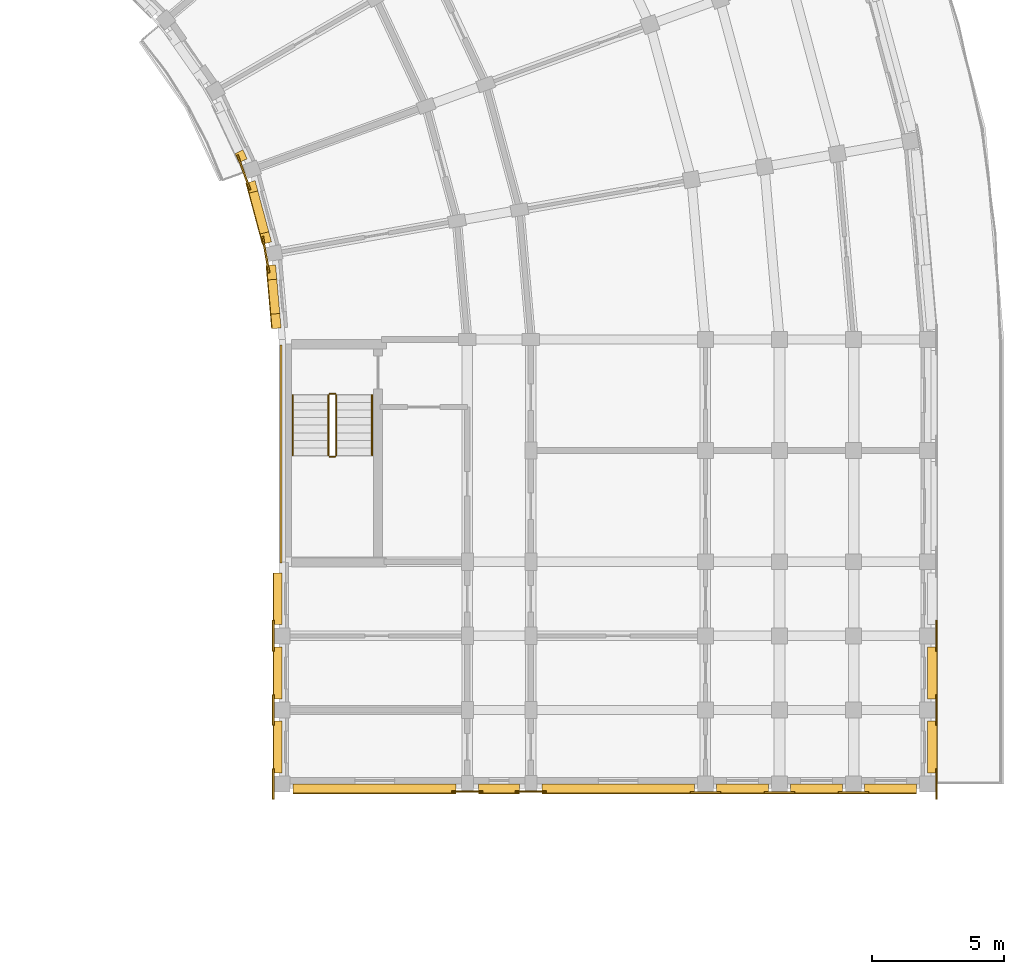
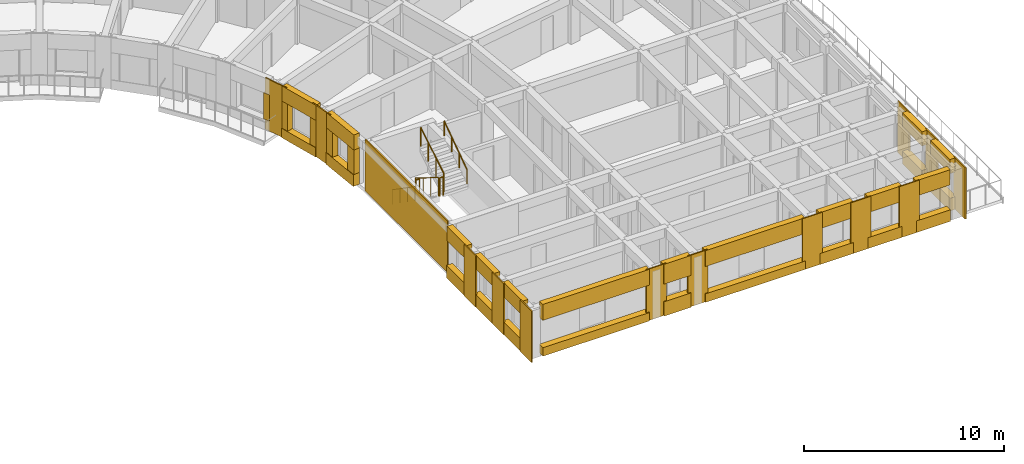
# One storey, part 50 of 53: 45 coverings, 6 railings.
"""IFC4 building model written with IfcOpenShell, lengths in metres."""

import ifcopenshell
import ifcopenshell.guid

model = None  # the IFC model being written
_history = None  # IfcOwnerHistory: only IFC2X3 demands one
_inside = {}  # id of a spatial element -> (the spatial element, [elements in it])
_under = {}  # id of a project, library or spatial element -> (it, [spatial elements below it])
_declared = {}  # id of a project -> (the project, [libraries it declares])
_typed = {}  # id of a type object -> (the type object, [elements of that type])
_made_of = {}  # id of a material, layer set ... -> (it, [elements and type objects made of it])


def new_model(schema):
    """Start an empty IFC model of exactly this schema.

    Asked for "IFC4X3", IfcOpenShell would pick the latest addendum, in which some entities
    have other attributes; the version numbers below select the first issue.
    IFC2X3 requires an IfcOwnerHistory on every rooted entity: one is made here for all.
    """
    global model, _history
    if schema == "IFC4X3":
        model = ifcopenshell.file(schema_version=(4, 3, 0, 0))
    else:
        model = ifcopenshell.file(schema=schema)
    _inside.clear()
    _under.clear()
    _declared.clear()
    _typed.clear()
    _made_of.clear()
    _history = None
    if model.schema == "IFC2X3":
        org = make("IfcOrganization", Name="unknown")
        user = make(
            "IfcPersonAndOrganization",
            ThePerson=make("IfcPerson", FamilyName="unknown"),
            TheOrganization=org,
        )
        app = make(
            "IfcApplication",
            ApplicationDeveloper=org,
            Version="unknown",
            ApplicationFullName="unknown",
            ApplicationIdentifier="unknown",
        )
        _history = make(
            "IfcOwnerHistory",
            OwningUser=user,
            OwningApplication=app,
            ChangeAction="ADDED",
            CreationDate=0,
        )
    return model


def make(cls, **values):
    """One entity of the class cls with the attributes given. An attribute that is None is left unset."""
    return model.create_entity(
        cls, **{name: value for name, value in values.items() if value is not None}
    )


def rooted(cls, **values):
    """An entity with a GlobalId (a new one), such as an element, a storey or a relation."""
    return make(cls, GlobalId=ifcopenshell.guid.new(), OwnerHistory=_history, **values)


def si_unit(unit_type, name, prefix=None):
    """IfcSIUnit, for example si_unit("LENGTHUNIT", "METRE", prefix="MILLI")."""
    return make("IfcSIUnit", UnitType=unit_type, Prefix=prefix, Name=name)


def assignment(units):
    """IfcUnitAssignment: the units of a project."""
    return None if units is None else make("IfcUnitAssignment", Units=units)


def point(xyz):
    """IfcCartesianPoint."""
    return None if xyz is None else make("IfcCartesianPoint", Coordinates=xyz)


def direction(xyz):
    """IfcDirection."""
    return None if xyz is None else make("IfcDirection", DirectionRatios=xyz)


def frame(location, z_axis=None, x_axis=None):
    """IfcAxis2Placement3D, a coordinate frame: its origin and axes. An axis left out is left unset."""
    return make(
        "IfcAxis2Placement3D",
        Location=point(location),
        Axis=direction(z_axis),
        RefDirection=direction(x_axis),
    )


def frame_2d(location, x_axis=None):
    """IfcAxis2Placement2D, a coordinate frame in the plane: its origin and x axis."""
    return make(
        "IfcAxis2Placement2D", Location=point(location), RefDirection=direction(x_axis)
    )


def origin():
    """The frame at (0, 0, 0) with its axes left unset."""
    return frame((0.0, 0.0, 0.0))


def origin_2d():
    """The frame at (0, 0) in the plane with its x axis left unset."""
    return frame_2d((0.0, 0.0))


def place(relative_to, where):
    """IfcLocalPlacement: puts the frame where relative to a parent placement (None: the world)."""
    return make(
        "IfcLocalPlacement", PlacementRelTo=relative_to, RelativePlacement=where
    )


def context(
    kind, dimensions, precision=None, world=None, true_north=None, identifier=None
):
    """IfcGeometricRepresentationContext, for example the 3D "Model" context."""
    return make(
        "IfcGeometricRepresentationContext",
        ContextIdentifier=identifier,
        ContextType=kind,
        CoordinateSpaceDimension=dimensions,
        Precision=precision,
        WorldCoordinateSystem=world,
        TrueNorth=true_north,
    )


def subcontext(parent, identifier, kind, view, scale=None):
    """IfcGeometricRepresentationSubContext, for example "Body" below "Model"."""
    return make(
        "IfcGeometricRepresentationSubContext",
        ContextIdentifier=identifier,
        ContextType=kind,
        ParentContext=parent,
        TargetScale=scale,
        TargetView=view,
    )


def project(units=None, contexts=None):
    """IfcProject with its units and contexts."""
    return rooted(
        "IfcProject",
        Name="project",
        RepresentationContexts=contexts,
        UnitsInContext=assignment(units),
    )


def spatial(cls, under=None, at=None, **own):
    """A site, building, storey or space (cls), placed at a placement, below another one or the project."""
    s = rooted(cls, ObjectPlacement=at, **own)
    if under is not None:
        _under.setdefault(under.id(), (under, []))[1].append(s)
    return s


def polyline(points):
    """IfcPolyline through the points."""
    return make("IfcPolyline", Points=[point(p) for p in points])


def profile(cls, at=None, kind="AREA", **sizes):
    """A parametric profile (cls). Its sizes go by their IFC names, for example OverallWidth=200.0."""
    return make(cls, ProfileType=kind, Position=at, **sizes)


def circle(**sizes):
    """IfcCircleProfileDef."""
    return profile("IfcCircleProfileDef", **sizes)


def outline(outer, holes=None, kind="AREA"):
    """IfcArbitraryClosedProfileDef: a profile drawn as a closed curve; with holes, ...WithVoids."""
    if holes is None:
        return make("IfcArbitraryClosedProfileDef", ProfileType=kind, OuterCurve=outer)
    return make(
        "IfcArbitraryProfileDefWithVoids",
        ProfileType=kind,
        OuterCurve=outer,
        InnerCurves=holes,
    )


def extrude(swept, where, along, depth):
    """IfcExtrudedAreaSolid: the profile swept, set in the frame where, extruded along a direction by depth."""
    return make(
        "IfcExtrudedAreaSolid",
        SweptArea=swept,
        Position=where,
        ExtrudedDirection=direction(along),
        Depth=depth,
    )


def shape(context_of_items, identifier, shape_type, items):
    """IfcShapeRepresentation: the items that make up one representation, for example the "Body"."""
    return make(
        "IfcShapeRepresentation",
        ContextOfItems=context_of_items,
        RepresentationIdentifier=identifier,
        RepresentationType=shape_type,
        Items=items,
    )


def material(Name=None, Category=None):
    """IfcMaterial."""
    return make("IfcMaterial", Name=Name, Category=Category)


def layer(
    of_material, thickness, ventilated=None, Name=None, Category=None, Priority=None
):
    """IfcMaterialLayer: one layer of a wall or slab, of a material (None: an air gap)."""
    return make(
        "IfcMaterialLayer",
        Material=of_material,
        LayerThickness=thickness,
        IsVentilated=ventilated,
        Name=Name,
        Category=Category,
        Priority=Priority,
    )


def layer_set(layers, Name=None):
    """IfcMaterialLayerSet."""
    return make("IfcMaterialLayerSet", MaterialLayers=layers, LayerSetName=Name)


def made_of(thing, what):
    """Note that an element or type object is made of a material, layer set ...; save() writes the relation."""
    if what is not None:
        _made_of.setdefault(what.id(), (what, []))[1].append(thing)
    return thing


def type_object(cls, material=None, **own):
    """A type object (cls), such as IfcWallType, which elements share."""
    return made_of(rooted(cls, **own), material)


def element(
    cls,
    number,
    at=None,
    inside=None,
    cuts=None,
    type_object=None,
    material=None,
    context=None,
    identifier="Body",
    shape_type=None,
    held_by="IfcProductDefinitionShape",
    body=None,
    shapes=None,
    **own,
):
    """One element of the class cls, such as IfcWall. Its Tag is "e" and its number.

    at: its placement. inside: the storey or other place that contains it. cuts: it is an
    opening in that element (IfcRelVoidsElement). A single representation is given by context,
    identifier, shape_type and body (its items); several are given by shapes. held_by: the class
    of the entity that holds the representations. save() writes the other relations.
    """
    e = rooted(cls, Tag="e%d" % number, ObjectPlacement=at, **own)
    if body is not None:
        shapes = [shape(context, identifier, shape_type, body)]
    if shapes is not None:
        e.Representation = make(held_by, Representations=shapes)
    if inside is not None:
        _inside.setdefault(inside.id(), (inside, []))[1].append(e)
    if cuts is not None:
        rooted(
            "IfcRelVoidsElement", RelatingBuildingElement=cuts, RelatedOpeningElement=e
        )
    if type_object is not None:
        _typed.setdefault(type_object.id(), (type_object, []))[1].append(e)
    return made_of(e, material)


def aggregate(whole, parts):
    """IfcRelAggregates: a whole, such as a stair, and the parts it consists of."""
    return rooted("IfcRelAggregates", RelatingObject=whole, RelatedObjects=parts)


def save(model, path):
    """Write the relations noted so far, then the file.

    IfcRelAggregates (storeys below a building ...), IfcRelContainedInSpatialStructure (elements
    in a storey), IfcRelDefinesByType, IfcRelAssociatesMaterial and IfcRelDeclares: one each for
    every whole, place, type object, material and project.
    """
    for whole, parts in _under.values():
        aggregate(whole, parts)
    for where, things in _inside.values():
        rooted(
            "IfcRelContainedInSpatialStructure",
            RelatedElements=things,
            RelatingStructure=where,
        )
    for kind, things in _typed.values():
        rooted("IfcRelDefinesByType", RelatedObjects=things, RelatingType=kind)
    for what, things in _made_of.values():
        rooted("IfcRelAssociatesMaterial", RelatedObjects=things, RelatingMaterial=what)
    for by, libraries in _declared.values():
        rooted("IfcRelDeclares", RelatingContext=by, RelatedDefinitions=libraries)
    model.write(path)


model = new_model("IFC4")

# Units and contexts
model_context = context("Model", 3, precision=1e-05, world=origin(), true_north=direction((0.0, 1.0)))
body_context = subcontext(model_context, "Body", "Model", "MODEL_VIEW")
ifc_project = project(units=[si_unit("LENGTHUNIT", "METRE"), si_unit("AREAUNIT", "SQUARE_METRE"), si_unit("VOLUMEUNIT", "CUBIC_METRE"), si_unit("PLANEANGLEUNIT", "RADIAN"), si_unit("MASSUNIT", "GRAM", prefix="KILO")], contexts=[model_context])

# Site, building, storey
site_placement = place(None, origin())
site = spatial("IfcSite", under=ifc_project, at=site_placement, CompositionType="ELEMENT")
building_placement = place(site_placement, origin())
building = spatial("IfcBuilding", under=site, at=building_placement, Name="Kiranvali Square Residences", CompositionType="ELEMENT")
storey_placement = place(building_placement, frame((0.0, 0.0, 30.75)))
storey = spatial("IfcBuildingStorey", under=building, at=storey_placement, Name="L09", CompositionType="ELEMENT", Elevation=30.75)

# Coverings
ifc_material_1 = material(Name="Honed Porbandar limestone ashlar facade cladding", Category="masonry")
ifc_layer_1 = layer(ifc_material_1, 0.3798828125)
ifc_layer_set_1 = layer_set([ifc_layer_1], Name="Honed Porbandar limestone ashlar facade cladding")
covering_type_1 = type_object("IfcCoveringType", Name="COV-CLAD-JAMB", PredefinedType="CLADDING", material=ifc_layer_set_1)
covering_1_placement = place(storey_placement, frame((0.0, 0.0, 0.6220703125)))
element("IfcCovering", 1, at=covering_1_placement, inside=storey, type_object=covering_type_1, Name="L09 deep limestone window jamb reveal B-L09-GDN-06.R", PredefinedType="CLADDING", context=body_context, shape_type="SweptSolid", body=[
    extrude(outline(polyline([(136.814208984375, 94.823486328125), (136.97216796875, 94.485107421875), (137.27978515625, 94.62841796875), (137.1220703125, 94.967041015625), (136.814208984375, 94.823486328125)])), origin(), (0.0, 0.0, 1.0), 1.599853515625),
])
covering_2_placement = place(storey_placement, frame((0.0, 0.0, 0.572021484375)))
element("IfcCovering", 2, at=covering_2_placement, inside=storey, type_object=covering_type_1, Name="L09 deep limestone window jamb reveal B-L09-GDN-07.L", PredefinedType="CLADDING", context=body_context, shape_type="SweptSolid", body=[
    extrude(outline(polyline([(137.251708984375, 93.717041015625), (137.354736328125, 93.33203125), (137.682861328125, 93.419921875), (137.57958984375, 93.804931640625), (137.251708984375, 93.717041015625)])), origin(), (0.0, 0.0, 1.0), 1.64990234375),
])
covering_3_placement = place(storey_placement, frame((0.0, 0.0, 0.572021484375)))
element("IfcCovering", 3, at=covering_3_placement, inside=storey, type_object=covering_type_1, Name="L09 deep limestone window jamb reveal B-L09-GDN-07.R", PredefinedType="CLADDING", context=body_context, shape_type="SweptSolid", body=[
    extrude(outline(polyline([(137.76904296875, 91.78662109375), (137.8720703125, 91.401611328125), (138.199951171875, 91.489501953125), (138.096923828125, 91.87451171875), (137.76904296875, 91.78662109375)])), origin(), (0.0, 0.0, 1.0), 1.64990234375),
])
covering_4_placement = place(storey_placement, frame((0.0, 0.0, 0.721923828125)))
element("IfcCovering", 4, at=covering_4_placement, inside=storey, type_object=covering_type_1, Name="L09 deep limestone window jamb reveal B-L09-GDN-08.L", PredefinedType="CLADDING", context=body_context, shape_type="SweptSolid", body=[
    extrude(outline(polyline([(138.013916015625, 90.5966796875), (138.061767578125, 90.05029296875), (138.400146484375, 90.079833984375), (138.352294921875, 90.626220703125), (138.013916015625, 90.5966796875)])), origin(), (0.0, 0.0, 1.0), 1.5),
])
covering_5_placement = place(storey_placement, frame((0.0, 0.0, 0.721923828125)))
element("IfcCovering", 5, at=covering_5_placement, inside=storey, type_object=covering_type_1, Name="L09 deep limestone window jamb reveal B-L09-GDN-08.R", PredefinedType="CLADDING", context=body_context, shape_type="SweptSolid", body=[
    extrude(outline(polyline([(138.175048828125, 88.755126953125), (138.222900390625, 88.208740234375), (138.56103515625, 88.23828125), (138.513427734375, 88.78466796875), (138.175048828125, 88.755126953125)])), origin(), (0.0, 0.0, 1.0), 1.5),
])
ifc_layer_2 = layer(ifc_material_1, 0.06494140625)
ifc_layer_set_2 = layer_set([ifc_layer_2], Name="Honed Porbandar limestone ashlar facade cladding")
covering_type_2 = type_object("IfcCoveringType", Name="COV-CLAD-PIER", PredefinedType="CLADDING", material=ifc_layer_set_2)
covering_6_placement = place(storey_placement, frame((0.0, 0.0, 0.0048828125)))
element("IfcCovering", 6, at=covering_6_placement, inside=storey, type_object=covering_type_2, Name="Block B L09 Arm 2 stair limestone ashlar cladding", PredefinedType="CLADDING", context=body_context, shape_type="SweptSolid", body=[
    extrude(outline(polyline([(138.52001953125, 87.60009765625), (138.52001953125, 79.35009765625), (138.597900390625, 79.35009765625), (138.597900390625, 87.60009765625), (138.52001953125, 87.60009765625)])), origin(), (0.0, 0.0, 1.0), 3.14013671875),
])
ifc_layer_3 = layer(ifc_material_1, 0.050048828125)
ifc_layer_set_3 = layer_set([ifc_layer_3], Name="Honed Porbandar limestone ashlar facade cladding")
covering_type_3 = type_object("IfcCoveringType", Name="COV-CLAD-PIER-IN", PredefinedType="CLADDING", material=ifc_layer_set_3)
covering_7_placement = place(storey_placement, frame((0.0, 0.0, 0.0048828125)))
element("IfcCovering", 7, at=covering_7_placement, inside=storey, type_object=covering_type_3, Name="L09 Classical garden courtyard pilaster CLAD-PRIN-B-L09-A07", PredefinedType="CLADDING", context=body_context, shape_type="SweptSolid", body=[
    extrude(outline(polyline([(136.881103515625, 94.761962890625), (137.35986328125, 93.4462890625), (137.42333984375, 93.469482421875), (136.9443359375, 94.784912109375), (136.881103515625, 94.761962890625)])), origin(), (0.0, 0.0, 1.0), 3.14013671875),
])
covering_8_placement = place(storey_placement, frame((0.0, 0.0, 0.0048828125)))
element("IfcCovering", 8, at=covering_8_placement, inside=storey, type_object=covering_type_3, Name="L09 Classical garden courtyard pilaster CLAD-PRIN-B-L09-A08", PredefinedType="CLADDING", context=body_context, shape_type="SweptSolid", body=[
    extrude(outline(polyline([(137.830322265625, 91.68994140625), (138.073486328125, 90.311279296875), (138.139892578125, 90.322998046875), (137.89697265625, 91.70166015625), (137.830322265625, 91.68994140625)])), origin(), (0.0, 0.0, 1.0), 3.14013671875),
])
covering_9_placement = place(storey_placement, frame((0.0, 0.0, 0.0048828125)))
element("IfcCovering", 9, at=covering_9_placement, inside=storey, type_object=covering_type_3, Name="L09 Classical limestone pilaster casing CLAD-PRA2I-B-L09-V112", PredefinedType="CLADDING", context=body_context, shape_type="SweptSolid", body=[
    extrude(outline(polyline([(138.23193359375, 77.179931640625), (138.23193359375, 76.02001953125), (138.299560546875, 76.02001953125), (138.299560546875, 77.179931640625), (138.23193359375, 77.179931640625)])), origin(), (0.0, 0.0, 1.0), 3.14013671875),
])
covering_10_placement = place(storey_placement, frame((0.0, 0.0, 0.0048828125)))
element("IfcCovering", 10, at=covering_10_placement, inside=storey, type_object=covering_type_3, Name="L09 Classical limestone pilaster casing CLAD-PRA2I-B-L09-V140", PredefinedType="CLADDING", context=body_context, shape_type="SweptSolid", body=[
    extrude(outline(polyline([(138.23193359375, 74.3798828125), (138.23193359375, 73.219970703125), (138.299560546875, 73.219970703125), (138.299560546875, 74.3798828125), (138.23193359375, 74.3798828125)])), origin(), (0.0, 0.0, 1.0), 3.14013671875),
])
covering_11_placement = place(storey_placement, frame((0.0, 0.0, 0.0048828125)))
element("IfcCovering", 11, at=covering_11_placement, inside=storey, type_object=covering_type_3, Name="L09 Classical limestone pilaster casing CLAD-PRA2I-B-L09-V167", PredefinedType="CLADDING", context=body_context, shape_type="SweptSolid", body=[
    extrude(outline(polyline([(138.23193359375, 71.580078125), (138.23193359375, 70.419921875), (138.299560546875, 70.419921875), (138.299560546875, 71.580078125), (138.23193359375, 71.580078125)])), origin(), (0.0, 0.0, 1.0), 3.14013671875),
])
ifc_layer_4 = layer(ifc_material_1, 0.054931640625)
ifc_layer_set_4 = layer_set([ifc_layer_4], Name="Honed Porbandar limestone ashlar facade cladding")
covering_type_4 = type_object("IfcCoveringType", Name="COV-CLAD-PIER-UP", PredefinedType="CLADDING", material=ifc_layer_set_4)
covering_12_placement = place(storey_placement, frame((0.0, 0.0, 0.0048828125)))
element("IfcCovering", 12, at=covering_12_placement, inside=storey, type_object=covering_type_4, Name="L09 Classical limestone pilaster casing CLAD-PR-B-L09-V112", PredefinedType="CLADDING", context=body_context, shape_type="SweptSolid", body=[
    extrude(outline(polyline([(163.300537109375, 77.179931640625), (163.300537109375, 76.02001953125), (163.367919921875, 76.02001953125), (163.367919921875, 77.179931640625), (163.300537109375, 77.179931640625)])), origin(), (0.0, 0.0, 1.0), 3.14013671875),
])
covering_13_placement = place(storey_placement, frame((0.0, 0.0, 0.0048828125)))
element("IfcCovering", 13, at=covering_13_placement, inside=storey, type_object=covering_type_4, Name="L09 Classical limestone pilaster casing CLAD-PR-B-L09-V140", PredefinedType="CLADDING", context=body_context, shape_type="SweptSolid", body=[
    extrude(outline(polyline([(163.300537109375, 74.3798828125), (163.300537109375, 73.219970703125), (163.367919921875, 73.219970703125), (163.367919921875, 74.3798828125), (163.300537109375, 74.3798828125)])), origin(), (0.0, 0.0, 1.0), 3.14013671875),
])
covering_14_placement = place(storey_placement, frame((0.0, 0.0, 0.0048828125)))
element("IfcCovering", 14, at=covering_14_placement, inside=storey, type_object=covering_type_4, Name="L09 Classical limestone pilaster casing CLAD-PR-B-L09-V167", PredefinedType="CLADDING", context=body_context, shape_type="SweptSolid", body=[
    extrude(outline(polyline([(163.300537109375, 71.580078125), (163.300537109375, 70.419921875), (163.367919921875, 70.419921875), (163.367919921875, 71.580078125), (163.300537109375, 71.580078125)])), origin(), (0.0, 0.0, 1.0), 3.14013671875),
])
covering_15_placement = place(storey_placement, frame((0.0, 0.0, 0.0048828125)))
element("IfcCovering", 15, at=covering_15_placement, inside=storey, type_object=covering_type_4, Name="L09 Classical limestone pilaster casing CLAD-PRA2E-B-L09-R258", PredefinedType="CLADDING", context=body_context, shape_type="SweptSolid", body=[
    extrude(outline(polyline([(145.02001953125, 70.681884765625), (146.179931640625, 70.681884765625), (146.179931640625, 70.74951171875), (145.02001953125, 70.74951171875), (145.02001953125, 70.681884765625)])), origin(), (0.0, 0.0, 1.0), 3.14013671875),
])
covering_16_placement = place(storey_placement, frame((0.0, 0.0, 0.0048828125)))
element("IfcCovering", 16, at=covering_16_placement, inside=storey, type_object=covering_type_4, Name="L09 Classical limestone pilaster casing CLAD-PRA2E-B-L09-R282", PredefinedType="CLADDING", context=body_context, shape_type="SweptSolid", body=[
    extrude(outline(polyline([(147.419921875, 70.681884765625), (148.580078125, 70.681884765625), (148.580078125, 70.74951171875), (147.419921875, 70.74951171875), (147.419921875, 70.681884765625)])), origin(), (0.0, 0.0, 1.0), 3.14013671875),
])
covering_17_placement = place(storey_placement, frame((0.0, 0.0, 0.0048828125)))
element("IfcCovering", 17, at=covering_17_placement, inside=storey, type_object=covering_type_4, Name="L09 Classical limestone pilaster casing CLAD-PRA2E-B-L09-R348", PredefinedType="CLADDING", context=body_context, shape_type="SweptSolid", body=[
    extrude(outline(polyline([(154.02001953125, 70.632080078125), (155.179931640625, 70.632080078125), (155.179931640625, 70.699462890625), (154.02001953125, 70.699462890625), (154.02001953125, 70.632080078125)])), origin(), (0.0, 0.0, 1.0), 3.14013671875),
])
covering_18_placement = place(storey_placement, frame((0.0, 0.0, 0.0048828125)))
element("IfcCovering", 18, at=covering_18_placement, inside=storey, type_object=covering_type_4, Name="L09 Classical limestone pilaster casing CLAD-PRA2E-B-L09-R376", PredefinedType="CLADDING", context=body_context, shape_type="SweptSolid", body=[
    extrude(outline(polyline([(156.820068359375, 70.632080078125), (157.97998046875, 70.632080078125), (157.97998046875, 70.699462890625), (156.820068359375, 70.699462890625), (156.820068359375, 70.632080078125)])), origin(), (0.0, 0.0, 1.0), 3.14013671875),
])
covering_19_placement = place(storey_placement, frame((0.0, 0.0, 0.0048828125)))
element("IfcCovering", 19, at=covering_19_placement, inside=storey, type_object=covering_type_4, Name="L09 Classical limestone pilaster casing CLAD-PRA2E-B-L09-R404", PredefinedType="CLADDING", context=body_context, shape_type="SweptSolid", body=[
    extrude(outline(polyline([(159.6201171875, 70.632080078125), (160.780029296875, 70.632080078125), (160.780029296875, 70.699462890625), (159.6201171875, 70.699462890625), (159.6201171875, 70.632080078125)])), origin(), (0.0, 0.0, 1.0), 3.14013671875),
])
ifc_layer_5 = layer(ifc_material_1, 0.360107421875)
ifc_layer_set_5 = layer_set([ifc_layer_5], Name="Honed Porbandar limestone ashlar facade cladding")
covering_type_5 = type_object("IfcCoveringType", Name="COV-CLAD-WALL", PredefinedType="CLADDING", material=ifc_layer_set_5)
covering_20_placement = place(storey_placement, frame((0.0, 0.0, 2.221923828125)))
element("IfcCovering", 20, at=covering_20_placement, inside=storey, type_object=covering_type_5, Name="L09 light limestone spandrel lintel B-L09-GDN-07", PredefinedType="CLADDING", context=body_context, shape_type="SweptSolid", body=[
    extrude(outline(polyline([(137.251708984375, 93.717041015625), (137.8720703125, 91.401611328125), (138.199951171875, 91.489501953125), (137.57958984375, 93.804931640625), (137.251708984375, 93.717041015625)])), origin(), (0.0, 0.0, 1.0), 0.923095703125),
])
covering_21_placement = place(storey_placement, frame((0.0, 0.0, 2.221923828125)))
element("IfcCovering", 21, at=covering_21_placement, inside=storey, type_object=covering_type_5, Name="L09 light limestone spandrel lintel B-L09-GDN-08", PredefinedType="CLADDING", context=body_context, shape_type="SweptSolid", body=[
    extrude(outline(polyline([(138.013916015625, 90.5966796875), (138.222900390625, 88.208740234375), (138.56103515625, 88.23828125), (138.352294921875, 90.626220703125), (138.013916015625, 90.5966796875)])), origin(), (0.0, 0.0, 1.0), 0.923095703125),
])
covering_22_placement = place(storey_placement, frame((0.0, 0.0, 2.280029296875)))
element("IfcCovering", 22, at=covering_22_placement, inside=storey, type_object=covering_type_5, Name="L09 light limestone spandrel lintel B-L09-A2O-3", PredefinedType="CLADDING", context=body_context, shape_type="SweptSolid", body=[
    extrude(outline(polyline([(163.00048828125, 76.179931640625), (163.00048828125, 74.219970703125), (163.35009765625, 74.219970703125), (163.35009765625, 76.179931640625), (163.00048828125, 76.179931640625)])), origin(), (0.0, 0.0, 1.0), 0.864990234375),
])
covering_23_placement = place(storey_placement, frame((0.0, 0.0, 0.0048828125)))
element("IfcCovering", 23, at=covering_23_placement, inside=storey, type_object=covering_type_5, Name="L09 limestone window sill apron B-L09-A2O-3", PredefinedType="CLADDING", context=body_context, shape_type="SweptSolid", body=[
    extrude(outline(polyline([(163.00048828125, 76.179931640625), (163.00048828125, 74.219970703125), (163.3798828125, 74.219970703125), (163.3798828125, 76.179931640625), (163.00048828125, 76.179931640625)])), origin(), (0.0, 0.0, 1.0), 0.775146484375),
])
covering_24_placement = place(storey_placement, frame((0.0, 0.0, 2.280029296875)))
element("IfcCovering", 24, at=covering_24_placement, inside=storey, type_object=covering_type_5, Name="L09 light limestone spandrel lintel B-L09-A2O-4", PredefinedType="CLADDING", context=body_context, shape_type="SweptSolid", body=[
    extrude(outline(polyline([(163.00048828125, 73.3798828125), (163.00048828125, 71.419921875), (163.35009765625, 71.419921875), (163.35009765625, 73.3798828125), (163.00048828125, 73.3798828125)])), origin(), (0.0, 0.0, 1.0), 0.864990234375),
])
covering_25_placement = place(storey_placement, frame((0.0, 0.0, 0.0048828125)))
element("IfcCovering", 25, at=covering_25_placement, inside=storey, type_object=covering_type_5, Name="L09 limestone window sill apron B-L09-A2O-4", PredefinedType="CLADDING", context=body_context, shape_type="SweptSolid", body=[
    extrude(outline(polyline([(163.00048828125, 73.3798828125), (163.00048828125, 71.419921875), (163.3798828125, 71.419921875), (163.3798828125, 73.3798828125), (163.00048828125, 73.3798828125)])), origin(), (0.0, 0.0, 1.0), 0.775146484375),
])
covering_26_placement = place(storey_placement, frame((0.0, 0.0, 2.27197265625)))
element("IfcCovering", 26, at=covering_26_placement, inside=storey, type_object=covering_type_5, Name="L09 light limestone spandrel lintel B-L09-A2I-0", PredefinedType="CLADDING", context=body_context, shape_type="SweptSolid", body=[
    extrude(outline(polyline([(138.280029296875, 78.97998046875), (138.280029296875, 77.02001953125), (138.599609375, 77.02001953125), (138.599609375, 78.97998046875), (138.280029296875, 78.97998046875)])), origin(), (0.0, 0.0, 1.0), 0.873046875),
])
covering_27_placement = place(storey_placement, frame((0.0, 0.0, 0.0048828125)))
element("IfcCovering", 27, at=covering_27_placement, inside=storey, type_object=covering_type_5, Name="L09 limestone window sill apron B-L09-A2I-0", PredefinedType="CLADDING", context=body_context, shape_type="SweptSolid", body=[
    extrude(outline(polyline([(138.25, 78.97998046875), (138.25, 77.02001953125), (138.599609375, 77.02001953125), (138.599609375, 78.97998046875), (138.25, 78.97998046875)])), origin(), (0.0, 0.0, 1.0), 0.76708984375),
])
covering_28_placement = place(storey_placement, frame((0.0, 0.0, 2.27197265625)))
element("IfcCovering", 28, at=covering_28_placement, inside=storey, type_object=covering_type_5, Name="L09 light limestone spandrel lintel B-L09-A2I-1", PredefinedType="CLADDING", context=body_context, shape_type="SweptSolid", body=[
    extrude(outline(polyline([(138.280029296875, 76.179931640625), (138.280029296875, 74.219970703125), (138.599609375, 74.219970703125), (138.599609375, 76.179931640625), (138.280029296875, 76.179931640625)])), origin(), (0.0, 0.0, 1.0), 0.873046875),
])
covering_29_placement = place(storey_placement, frame((0.0, 0.0, 0.0048828125)))
element("IfcCovering", 29, at=covering_29_placement, inside=storey, type_object=covering_type_5, Name="L09 limestone window sill apron B-L09-A2I-1", PredefinedType="CLADDING", context=body_context, shape_type="SweptSolid", body=[
    extrude(outline(polyline([(138.25, 76.179931640625), (138.25, 74.219970703125), (138.599609375, 74.219970703125), (138.599609375, 76.179931640625), (138.25, 76.179931640625)])), origin(), (0.0, 0.0, 1.0), 0.76708984375),
])
covering_30_placement = place(storey_placement, frame((0.0, 0.0, 2.27197265625)))
element("IfcCovering", 30, at=covering_30_placement, inside=storey, type_object=covering_type_5, Name="L09 light limestone spandrel lintel B-L09-A2I-2", PredefinedType="CLADDING", context=body_context, shape_type="SweptSolid", body=[
    extrude(outline(polyline([(138.280029296875, 73.3798828125), (138.280029296875, 71.419921875), (138.599609375, 71.419921875), (138.599609375, 73.3798828125), (138.280029296875, 73.3798828125)])), origin(), (0.0, 0.0, 1.0), 0.873046875),
])
covering_31_placement = place(storey_placement, frame((0.0, 0.0, 0.0048828125)))
element("IfcCovering", 31, at=covering_31_placement, inside=storey, type_object=covering_type_5, Name="L09 limestone window sill apron B-L09-A2I-2", PredefinedType="CLADDING", context=body_context, shape_type="SweptSolid", body=[
    extrude(outline(polyline([(138.25, 73.3798828125), (138.25, 71.419921875), (138.599609375, 71.419921875), (138.599609375, 73.3798828125), (138.25, 73.3798828125)])), origin(), (0.0, 0.0, 1.0), 0.76708984375),
])
covering_32_placement = place(storey_placement, frame((0.0, 0.0, 2.172119140625)))
element("IfcCovering", 32, at=covering_32_placement, inside=storey, type_object=covering_type_5, Name="L09 light limestone spandrel lintel B-L09-A2END-0", PredefinedType="CLADDING", context=body_context, shape_type="SweptSolid", body=[
    extrude(outline(polyline([(139.02001953125, 70.659912109375), (145.179931640625, 70.659912109375), (145.179931640625, 70.99951171875), (139.02001953125, 70.99951171875), (139.02001953125, 70.659912109375)])), origin(), (0.0, 0.0, 1.0), 0.972900390625),
])
covering_33_placement = place(storey_placement, frame((0.0, 0.0, 0.0048828125)))
element("IfcCovering", 33, at=covering_33_placement, inside=storey, type_object=covering_type_5, Name="L09 limestone window sill apron B-L09-A2END-0", PredefinedType="CLADDING", context=body_context, shape_type="SweptSolid", body=[
    extrude(outline(polyline([(139.02001953125, 70.6298828125), (145.179931640625, 70.6298828125), (145.179931640625, 70.99951171875), (139.02001953125, 70.99951171875), (139.02001953125, 70.6298828125)])), origin(), (0.0, 0.0, 1.0), 0.51708984375),
])
covering_34_placement = place(storey_placement, frame((0.0, 0.0, 1.929931640625)))
element("IfcCovering", 34, at=covering_34_placement, inside=storey, type_object=covering_type_5, Name="L09 light limestone spandrel lintel B-L09-A2END-1", PredefinedType="CLADDING", context=body_context, shape_type="SweptSolid", body=[
    extrude(outline(polyline([(146.02001953125, 70.659912109375), (147.580078125, 70.659912109375), (147.580078125, 70.99951171875), (146.02001953125, 70.99951171875), (146.02001953125, 70.659912109375)])), origin(), (0.0, 0.0, 1.0), 1.215087890625),
])
covering_35_placement = place(storey_placement, frame((0.0, 0.0, 0.0048828125)))
element("IfcCovering", 35, at=covering_35_placement, inside=storey, type_object=covering_type_5, Name="L09 limestone window sill apron B-L09-A2END-1", PredefinedType="CLADDING", context=body_context, shape_type="SweptSolid", body=[
    extrude(outline(polyline([(146.02001953125, 70.6298828125), (147.580078125, 70.6298828125), (147.580078125, 70.99951171875), (146.02001953125, 70.99951171875), (146.02001953125, 70.6298828125)])), origin(), (0.0, 0.0, 1.0), 0.875),
])
covering_36_placement = place(storey_placement, frame((0.0, 0.0, 2.172119140625)))
element("IfcCovering", 36, at=covering_36_placement, inside=storey, type_object=covering_type_5, Name="L09 light limestone spandrel lintel B-L09-A2END-2", PredefinedType="CLADDING", context=body_context, shape_type="SweptSolid", body=[
    extrude(outline(polyline([(148.419921875, 70.659912109375), (154.179931640625, 70.659912109375), (154.179931640625, 70.99951171875), (148.419921875, 70.99951171875), (148.419921875, 70.659912109375)])), origin(), (0.0, 0.0, 1.0), 0.972900390625),
])
covering_37_placement = place(storey_placement, frame((0.0, 0.0, 0.0048828125)))
element("IfcCovering", 37, at=covering_37_placement, inside=storey, type_object=covering_type_5, Name="L09 limestone window sill apron B-L09-A2END-2", PredefinedType="CLADDING", context=body_context, shape_type="SweptSolid", body=[
    extrude(outline(polyline([(148.419921875, 70.6298828125), (154.179931640625, 70.6298828125), (154.179931640625, 70.99951171875), (148.419921875, 70.99951171875), (148.419921875, 70.6298828125)])), origin(), (0.0, 0.0, 1.0), 0.51708984375),
])
covering_38_placement = place(storey_placement, frame((0.0, 0.0, 2.172119140625)))
element("IfcCovering", 38, at=covering_38_placement, inside=storey, type_object=covering_type_5, Name="L09 light limestone spandrel lintel B-L09-A2END-3", PredefinedType="CLADDING", context=body_context, shape_type="SweptSolid", body=[
    extrude(outline(polyline([(155.02001953125, 70.659912109375), (156.97998046875, 70.659912109375), (156.97998046875, 70.99951171875), (155.02001953125, 70.99951171875), (155.02001953125, 70.659912109375)])), origin(), (0.0, 0.0, 1.0), 0.972900390625),
])
covering_39_placement = place(storey_placement, frame((0.0, 0.0, 0.0048828125)))
element("IfcCovering", 39, at=covering_39_placement, inside=storey, type_object=covering_type_5, Name="L09 limestone window sill apron B-L09-A2END-3", PredefinedType="CLADDING", context=body_context, shape_type="SweptSolid", body=[
    extrude(outline(polyline([(155.02001953125, 70.6298828125), (156.97998046875, 70.6298828125), (156.97998046875, 70.99951171875), (155.02001953125, 70.99951171875), (155.02001953125, 70.6298828125)])), origin(), (0.0, 0.0, 1.0), 0.667236328125),
])
covering_40_placement = place(storey_placement, frame((0.0, 0.0, 2.172119140625)))
element("IfcCovering", 40, at=covering_40_placement, inside=storey, type_object=covering_type_5, Name="L09 light limestone spandrel lintel B-L09-A2END-4", PredefinedType="CLADDING", context=body_context, shape_type="SweptSolid", body=[
    extrude(outline(polyline([(157.820068359375, 70.659912109375), (159.780029296875, 70.659912109375), (159.780029296875, 70.99951171875), (157.820068359375, 70.99951171875), (157.820068359375, 70.659912109375)])), origin(), (0.0, 0.0, 1.0), 0.972900390625),
])
covering_41_placement = place(storey_placement, frame((0.0, 0.0, 0.0048828125)))
element("IfcCovering", 41, at=covering_41_placement, inside=storey, type_object=covering_type_5, Name="L09 limestone window sill apron B-L09-A2END-4", PredefinedType="CLADDING", context=body_context, shape_type="SweptSolid", body=[
    extrude(outline(polyline([(157.820068359375, 70.6298828125), (159.780029296875, 70.6298828125), (159.780029296875, 70.99951171875), (157.820068359375, 70.99951171875), (157.820068359375, 70.6298828125)])), origin(), (0.0, 0.0, 1.0), 0.667236328125),
])
covering_42_placement = place(storey_placement, frame((0.0, 0.0, 2.2119140625)))
element("IfcCovering", 42, at=covering_42_placement, inside=storey, type_object=covering_type_5, Name="L09 light limestone spandrel lintel B-L09-A2END-5", PredefinedType="CLADDING", context=body_context, shape_type="SweptSolid", body=[
    extrude(outline(polyline([(160.6201171875, 70.659912109375), (162.580078125, 70.659912109375), (162.580078125, 70.99951171875), (160.6201171875, 70.99951171875), (160.6201171875, 70.659912109375)])), origin(), (0.0, 0.0, 1.0), 0.93310546875),
])
covering_43_placement = place(storey_placement, frame((0.0, 0.0, 0.0048828125)))
element("IfcCovering", 43, at=covering_43_placement, inside=storey, type_object=covering_type_5, Name="L09 limestone window sill apron B-L09-A2END-5", PredefinedType="CLADDING", context=body_context, shape_type="SweptSolid", body=[
    extrude(outline(polyline([(160.6201171875, 70.6298828125), (162.580078125, 70.6298828125), (162.580078125, 70.99951171875), (160.6201171875, 70.99951171875), (160.6201171875, 70.6298828125)])), origin(), (0.0, 0.0, 1.0), 0.70703125),
])
ifc_layer_6 = layer(ifc_material_1, 0.2900390625)
ifc_layer_set_6 = layer_set([ifc_layer_6], Name="Honed Porbandar limestone ashlar facade cladding")
covering_type_6 = type_object("IfcCoveringType", Name="COV-CLAD-WALL-IN", PredefinedType="CLADDING", material=ifc_layer_set_6)
covering_44_placement = place(storey_placement, frame((0.0, 0.0, 0.0048828125)))
element("IfcCovering", 44, at=covering_44_placement, inside=storey, type_object=covering_type_6, Name="L09 limestone window sill apron B-L09-GDN-07", PredefinedType="CLADDING", context=body_context, shape_type="SweptSolid", body=[
    extrude(outline(polyline([(137.22265625, 93.709228515625), (137.843017578125, 91.393798828125), (138.199951171875, 91.489501953125), (137.57958984375, 93.804931640625), (137.22265625, 93.709228515625)])), origin(), (0.0, 0.0, 1.0), 0.567138671875),
])
covering_45_placement = place(storey_placement, frame((0.0, 0.0, 0.0048828125)))
element("IfcCovering", 45, at=covering_45_placement, inside=storey, type_object=covering_type_6, Name="L09 limestone window sill apron B-L09-GDN-08", PredefinedType="CLADDING", context=body_context, shape_type="SweptSolid", body=[
    extrude(outline(polyline([(137.984130859375, 90.593994140625), (138.193115234375, 88.2060546875), (138.56103515625, 88.23828125), (138.352294921875, 90.626220703125), (137.984130859375, 90.593994140625)])), origin(), (0.0, 0.0, 1.0), 0.717041015625),
])

# Railings
ifc_material_2 = material(Name="Brushed stainless steel tubular handrail", Category="steel")
railing_type_1 = type_object("IfcRailingType", Name="RL-HANDRAIL-900", PredefinedType="HANDRAIL", material=ifc_material_2)
railing_1_placement = place(storey_placement, frame((139.0, 85.699951171875, 0.175048828125)))
element("IfcRailing", 46, at=railing_1_placement, inside=storey, type_object=railing_type_1, Name="L09 ST-B3 stair handrail 1", PredefinedType="HANDRAIL", context=body_context, shape_type="SweptSolid", body=[
    extrude(circle(Radius=0.02392578125, at=origin_2d()), frame((0.0, 0.0, 0.8759765625), z_axis=(0.0, -0.82278801735, 0.568348377763), x_axis=(1.0, 0.0, 0.0)), (0.0, 0.0, 1.0), 2.77099609375),
    extrude(circle(Radius=0.02099609375, at=origin_2d()), origin(), (0.0, 0.0, 1.0), 0.851806640625),
    extrude(circle(Radius=0.02099609375, at=origin_2d()), frame((0.0, -0.760009765625, 0.52490234375)), (0.0, 0.0, 1.0), 0.851806640625),
    extrude(circle(Radius=0.02099609375, at=origin_2d()), frame((0.0, -1.52001953125, 1.050048828125)), (0.0, 0.0, 1.0), 0.851806640625),
    extrude(circle(Radius=0.02099609375, at=origin_2d()), frame((0.0, -2.280029296875, 1.574951171875)), (0.0, 0.0, 1.0), 0.851806640625),
])
railing_2_placement = place(storey_placement, frame((142.0, 83.419921875, 1.75)))
element("IfcRailing", 47, at=railing_2_placement, inside=storey, type_object=railing_type_1, Name="L09 ST-B3 stair handrail 2", PredefinedType="HANDRAIL", context=body_context, shape_type="SweptSolid", body=[
    extrude(circle(Radius=0.02392578125, at=origin_2d()), frame((0.0, 0.0, 0.8759765625), z_axis=(0.0, 0.82278801735, 0.568348377763), x_axis=(-1.0, 0.0, 0.0)), (0.0, 0.0, 1.0), 2.77099609375),
    extrude(circle(Radius=0.02099609375, at=origin_2d()), origin(), (0.0, 0.0, 1.0), 0.851806640625),
    extrude(circle(Radius=0.02099609375, at=origin_2d()), frame((0.0, 0.760009765625, 0.52490234375)), (0.0, 0.0, 1.0), 0.851806640625),
    extrude(circle(Radius=0.02099609375, at=origin_2d()), frame((0.0, 1.52001953125, 1.050048828125)), (0.0, 0.0, 1.0), 0.851806640625),
    extrude(circle(Radius=0.02099609375, at=origin_2d()), frame((0.0, 2.280029296875, 1.574951171875)), (0.0, 0.0, 1.0), 0.851806640625),
])
ifc_material_3 = material(Name="Powder-coated architectural bronze balustrade", Category="steel")
railing_type_2 = type_object("IfcRailingType", Name="RL-ST-GUARD-1200", PredefinedType="GUARDRAIL", material=ifc_material_3)
railing_3_placement = place(storey_placement, frame((140.35009765625, 85.699951171875, 0.175048828125)))
element("IfcRailing", 48, at=railing_3_placement, inside=storey, type_object=railing_type_2, Name="L09 ST-B3 stair guard 1", PredefinedType="GUARDRAIL", context=body_context, shape_type="SweptSolid", body=[
    extrude(circle(Radius=0.02392578125, at=origin_2d()), frame((0.0, 0.0, 1.1259765625), z_axis=(0.0, -0.852190499154, 0.523231643875), x_axis=(1.0, 0.0, 0.0)), (0.0, 0.0, 1.0), 2.675537109375),
    extrude(circle(Radius=0.02099609375, at=origin_2d()), origin(), (0.0, 0.0, 1.0), 1.101806640625),
    extrude(circle(Radius=0.02099609375, at=origin_2d()), frame((0.0, -0.760009765625, 0.466552734375)), (0.0, 0.0, 1.0), 1.101806640625),
    extrude(circle(Radius=0.02099609375, at=origin_2d()), frame((0.0, -1.52001953125, 0.933349609375)), (0.0, 0.0, 1.0), 1.101806640625),
    extrude(circle(Radius=0.02099609375, at=origin_2d()), frame((0.0, -2.280029296875, 1.39990234375)), (0.0, 0.0, 1.0), 1.101806640625),
])
railing_4_placement = place(storey_placement, frame((140.39990234375, 83.3701171875, 1.574951171875)))
element("IfcRailing", 49, at=railing_4_placement, inside=storey, type_object=railing_type_2, Name="L09 ST-B3 stair guard 2", PredefinedType="GUARDRAIL", context=body_context, shape_type="SweptSolid", body=[
    extrude(circle(Radius=0.02392578125, at=origin_2d()), frame((0.0, 0.0, 1.1259765625), z_axis=(1.0, 0.0, 0.0), x_axis=(0.0, 1.0, 0.0)), (0.0, 0.0, 1.0), 0.2001953125),
    extrude(circle(Radius=0.02099609375, at=origin_2d()), origin(), (0.0, 0.0, 1.0), 1.101806640625),
    extrude(circle(Radius=0.02099609375, at=origin_2d()), frame((0.2001953125, 0.0, 0.0)), (0.0, 0.0, 1.0), 1.101806640625),
])
railing_5_placement = place(storey_placement, frame((140.64990234375, 83.419921875, 1.75)))
element("IfcRailing", 50, at=railing_5_placement, inside=storey, type_object=railing_type_2, Name="L09 ST-B3 stair guard 3", PredefinedType="GUARDRAIL", context=body_context, shape_type="SweptSolid", body=[
    extrude(circle(Radius=0.02392578125, at=origin_2d()), frame((0.0, 0.0, 1.1259765625), z_axis=(0.0, 0.852190499154, 0.523231643875), x_axis=(-1.0, 0.0, 0.0)), (0.0, 0.0, 1.0), 2.675537109375),
    extrude(circle(Radius=0.02099609375, at=origin_2d()), origin(), (0.0, 0.0, 1.0), 1.101806640625),
    extrude(circle(Radius=0.02099609375, at=origin_2d()), frame((0.0, 0.760009765625, 0.466552734375)), (0.0, 0.0, 1.0), 1.101806640625),
    extrude(circle(Radius=0.02099609375, at=origin_2d()), frame((0.0, 1.52001953125, 0.933349609375)), (0.0, 0.0, 1.0), 1.101806640625),
    extrude(circle(Radius=0.02099609375, at=origin_2d()), frame((0.0, 2.280029296875, 1.39990234375)), (0.0, 0.0, 1.0), 1.101806640625),
])
railing_6_placement = place(storey_placement, frame((140.39990234375, 85.75, 0.0)))
element("IfcRailing", 51, at=railing_6_placement, inside=storey, type_object=railing_type_2, Name="L09 ST-B3 stair guard 4", PredefinedType="GUARDRAIL", context=body_context, shape_type="SweptSolid", body=[
    extrude(circle(Radius=0.02392578125, at=origin_2d()), frame((0.0, 0.0, 1.1259765625), z_axis=(1.0, 0.0, 0.0), x_axis=(0.0, 1.0, 0.0)), (0.0, 0.0, 1.0), 0.2001953125),
    extrude(circle(Radius=0.02099609375, at=origin_2d()), origin(), (0.0, 0.0, 1.0), 1.101806640625),
    extrude(circle(Radius=0.02099609375, at=origin_2d()), frame((0.2001953125, 0.0, 0.0)), (0.0, 0.0, 1.0), 1.101806640625),
])

save(model, "model.ifc")
